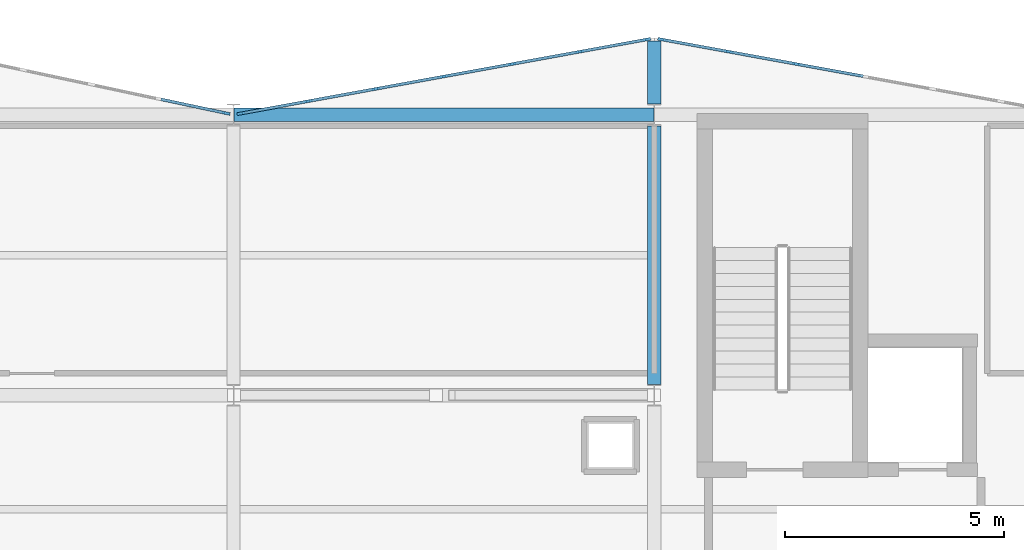
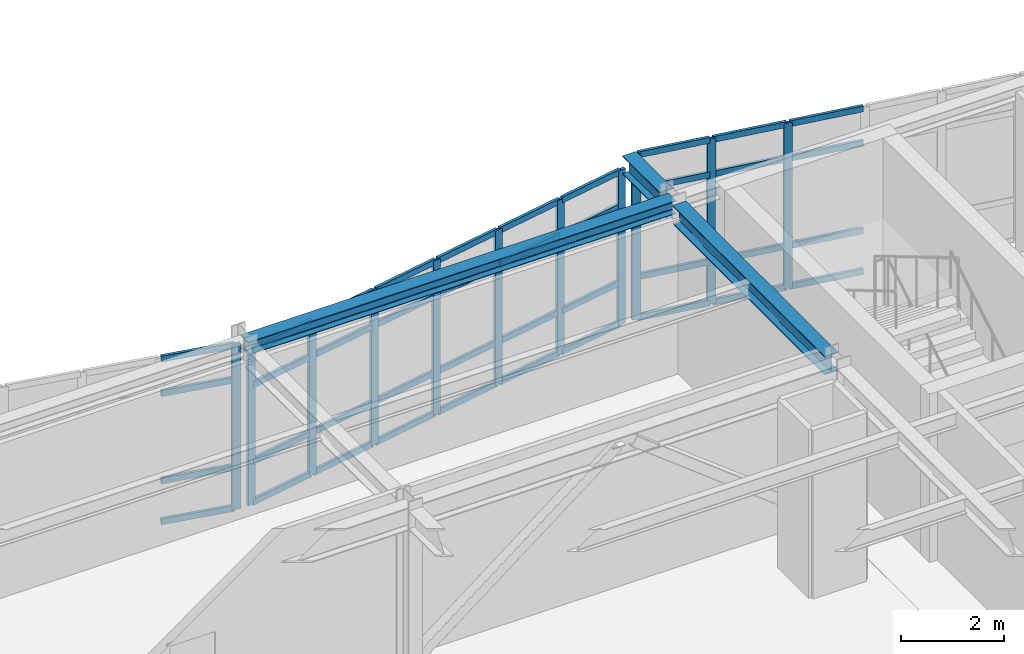
# One storey, part 32 of 64: 51 members, 3 beams, 3 elements without a shape of their own.
"""IFC4 building model written with IfcOpenShell, lengths in metres."""

from ifc_helpers import new_model, si_unit, direction, frame, origin, origin_2d, place, context, subcontext, project, spatial, rectangle, i_section, extrude, material, layer, layer_set, material_profile, profile_set, type_object, element, aggregate, save


model = new_model("IFC4")

# Units and contexts
model_context = context("Model", 3, precision=1e-05, world=origin(), true_north=direction((0.0, 1.0)))
body_context = subcontext(model_context, "Body", "Model", "MODEL_VIEW")
ifc_project = project(units=[si_unit("LENGTHUNIT", "METRE"), si_unit("AREAUNIT", "SQUARE_METRE"), si_unit("VOLUMEUNIT", "CUBIC_METRE"), si_unit("PLANEANGLEUNIT", "RADIAN"), si_unit("MASSUNIT", "GRAM", prefix="KILO")], contexts=[model_context])

# Site, building, storey
site_placement = place(None, origin())
site = spatial("IfcSite", under=ifc_project, at=site_placement, CompositionType="ELEMENT")
building_placement = place(site_placement, origin())
building = spatial("IfcBuilding", under=site, at=building_placement, Name="Nordkorset Police Headquarters", CompositionType="ELEMENT")
storey_placement = place(building_placement, frame((0.0, 0.0, 17.85009765625)))
storey = spatial("IfcBuildingStorey", under=building, at=storey_placement, Name="L04", CompositionType="ELEMENT", Elevation=17.85009765625)

# Curtain wall, member
ifc_material_1 = material(Name="Aluminium alloy AW-6060", Category="aluminium")
ifc_layer_1 = layer(ifc_material_1, 0.179931640625, Name="Aluminium alloy AW-6060")
ifc_layer_set_1 = layer_set([ifc_layer_1], Name="Aluminium alloy AW-6060")
curtain_wall_type_1 = type_object("IfcCurtainWallType", Name="CW_Unit_954x392", PredefinedType="USERDEFINED", material=ifc_layer_set_1)
curtain_wall_1_placement = place(storey_placement, origin())
curtain_wall_1 = element("IfcCurtainWall", 1, at=curtain_wall_1_placement, inside=storey, type_object=curtain_wall_type_1, Name="Unitised Curtain Wall L04 V2N-1", ObjectType="UNITISED CURTAIN WALL", PredefinedType="USERDEFINED")
ifc_material_2 = material(Name="Aluminium alloy AW-6060", Category="aluminium")
ifc_material_profile_1 = material_profile(ifc_material_2, rectangle(XDim=0.06494140625, YDim=0.179931640625, at=origin_2d()), Name="ALU MULL 65x180")
ifc_profile_set_1 = profile_set([ifc_material_profile_1], Name="Aluminium alloy AW-6060")
member_type_1 = type_object("IfcMemberType", Name="CW_Mullion_65x180", PredefinedType="MULLION", material=ifc_profile_set_1)
member_1_placement = place(storey_placement, frame((47.831298828125, 116.8359375, 0.0), z_axis=(0.0, 0.0, 1.0), x_axis=(0.208832534289, 0.977951416289, 0.0)))
member_1 = element("IfcMember", 2, at=member_1_placement, type_object=member_type_1, Name="CW-20 mullion 7", PredefinedType="MULLION", context=body_context, shape_type="SweptSolid", body=[
    extrude(rectangle(XDim=0.06494140625, YDim=0.179931640625, at=origin_2d()), origin(), (0.0, 0.0, 1.0), 3.919921875),
])

# Curtain wall, members
ifc_material_3 = material(Name="Aluminium alloy AW-6060", Category="aluminium")
ifc_layer_2 = layer(ifc_material_3, 0.179931640625, Name="Aluminium alloy AW-6060")
ifc_layer_set_2 = layer_set([ifc_layer_2], Name="Aluminium alloy AW-6060")
curtain_wall_type_2 = type_object("IfcCurtainWallType", Name="CW_Unit_948x366", PredefinedType="USERDEFINED", material=ifc_layer_set_2)
curtain_wall_2_placement = place(storey_placement, origin())
curtain_wall_2 = element("IfcCurtainWall", 3, at=curtain_wall_2_placement, inside=storey, type_object=curtain_wall_type_2, Name="Unitised Curtain Wall L04 V2N-2", ObjectType="UNITISED CURTAIN WALL", PredefinedType="USERDEFINED")
member_2_placement = place(storey_placement, frame((48.169677734375, 116.8310546875, 0.0), z_axis=(0.0, 0.0, 1.0), x_axis=(-0.179335715876, 0.983787934979, 0.0)))
member_2 = element("IfcMember", 4, at=member_2_placement, type_object=member_type_1, Name="CW-35 mullion 1", PredefinedType="MULLION", context=body_context, shape_type="SweptSolid", body=[
    extrude(rectangle(XDim=0.06494140625, YDim=0.179931640625, at=origin_2d()), origin(), (0.0, 0.0, 1.0), 3.659912109375),
])
member_3_placement = place(storey_placement, frame((49.69189453125, 117.1083984375, 0.0), z_axis=(0.0, 0.0, 1.0), x_axis=(-0.179335715876, 0.983787934979, 0.0)))
member_3 = element("IfcMember", 5, at=member_3_placement, type_object=member_type_1, Name="CW-35 mullion 2", PredefinedType="MULLION", context=body_context, shape_type="SweptSolid", body=[
    extrude(rectangle(XDim=0.06494140625, YDim=0.179931640625, at=origin_2d()), origin(), (0.0, 0.0, 1.0), 3.659912109375),
])
member_4_placement = place(storey_placement, frame((51.245849609375, 117.3916015625, 0.0), z_axis=(0.0, 0.0, 1.0), x_axis=(-0.179335715876, 0.983787934979, 0.0)))
member_4 = element("IfcMember", 6, at=member_4_placement, type_object=member_type_1, Name="CW-35 mullion 3", PredefinedType="MULLION", context=body_context, shape_type="SweptSolid", body=[
    extrude(rectangle(XDim=0.06494140625, YDim=0.179931640625, at=origin_2d()), origin(), (0.0, 0.0, 1.0), 3.659912109375),
])
member_5_placement = place(storey_placement, frame((52.800048828125, 117.675048828125, 0.0), z_axis=(0.0, 0.0, 1.0), x_axis=(-0.179335715876, 0.983787934979, 0.0)))
member_5 = element("IfcMember", 7, at=member_5_placement, type_object=member_type_1, Name="CW-35 mullion 4", PredefinedType="MULLION", context=body_context, shape_type="SweptSolid", body=[
    extrude(rectangle(XDim=0.06494140625, YDim=0.179931640625, at=origin_2d()), origin(), (0.0, 0.0, 1.0), 3.659912109375),
])
member_6_placement = place(storey_placement, frame((54.35400390625, 117.958251953125, 0.0), z_axis=(0.0, 0.0, 1.0), x_axis=(-0.179335715876, 0.983787934979, 0.0)))
member_6 = element("IfcMember", 8, at=member_6_placement, type_object=member_type_1, Name="CW-35 mullion 5", PredefinedType="MULLION", context=body_context, shape_type="SweptSolid", body=[
    extrude(rectangle(XDim=0.06494140625, YDim=0.179931640625, at=origin_2d()), origin(), (0.0, 0.0, 1.0), 3.659912109375),
])
member_7_placement = place(storey_placement, frame((55.908203125, 118.24169921875, 0.0), z_axis=(0.0, 0.0, 1.0), x_axis=(-0.179335715876, 0.983787934979, 0.0)))
member_7 = element("IfcMember", 9, at=member_7_placement, type_object=member_type_1, Name="CW-35 mullion 6", PredefinedType="MULLION", context=body_context, shape_type="SweptSolid", body=[
    extrude(rectangle(XDim=0.06494140625, YDim=0.179931640625, at=origin_2d()), origin(), (0.0, 0.0, 1.0), 3.659912109375),
])
member_8_placement = place(storey_placement, frame((57.43017578125, 118.51904296875, 0.0), z_axis=(0.0, 0.0, 1.0), x_axis=(-0.179335715876, 0.983787934979, 0.0)))
member_8 = element("IfcMember", 10, at=member_8_placement, type_object=member_type_1, Name="CW-35 mullion 7", PredefinedType="MULLION", context=body_context, shape_type="SweptSolid", body=[
    extrude(rectangle(XDim=0.06494140625, YDim=0.179931640625, at=origin_2d()), origin(), (0.0, 0.0, 1.0), 3.659912109375),
])

ifc_material_4 = material(Name="Aluminium alloy AW-6060", Category="aluminium")
ifc_layer_3 = layer(ifc_material_4, 0.179931640625, Name="Aluminium alloy AW-6060")
ifc_layer_set_3 = layer_set([ifc_layer_3], Name="Aluminium alloy AW-6060")
curtain_wall_type_3 = type_object("IfcCurtainWallType", Name="CW_Unit_948x392", PredefinedType="USERDEFINED", material=ifc_layer_set_3)
curtain_wall_3_placement = place(storey_placement, origin())
curtain_wall_3 = element("IfcCurtainWall", 11, at=curtain_wall_3_placement, inside=storey, type_object=curtain_wall_type_3, Name="Unitised Curtain Wall L04 V2N-3", ObjectType="UNITISED CURTAIN WALL", PredefinedType="USERDEFINED")
member_9_placement = place(storey_placement, frame((57.769775390625, 118.51904296875, 0.0), z_axis=(0.0, 0.0, 1.0), x_axis=(0.179335715876, 0.983787934979, 0.0)))
member_9 = element("IfcMember", 12, at=member_9_placement, type_object=member_type_1, Name="CW-65 mullion 1", PredefinedType="MULLION", context=body_context, shape_type="SweptSolid", body=[
    extrude(rectangle(XDim=0.06494140625, YDim=0.179931640625, at=origin_2d()), origin(), (0.0, 0.0, 1.0), 3.919921875),
])
member_10_placement = place(storey_placement, frame((59.291748046875, 118.24169921875, 0.0), z_axis=(0.0, 0.0, 1.0), x_axis=(0.179335715876, 0.983787934979, 0.0)))
member_10 = element("IfcMember", 13, at=member_10_placement, type_object=member_type_1, Name="CW-65 mullion 2", PredefinedType="MULLION", context=body_context, shape_type="SweptSolid", body=[
    extrude(rectangle(XDim=0.06494140625, YDim=0.179931640625, at=origin_2d()), origin(), (0.0, 0.0, 1.0), 3.919921875),
])
member_11_placement = place(storey_placement, frame((60.845947265625, 117.958251953125, 0.0), z_axis=(0.0, 0.0, 1.0), x_axis=(0.179335715876, 0.983787934979, 0.0)))
member_11 = element("IfcMember", 14, at=member_11_placement, type_object=member_type_1, Name="CW-65 mullion 3", PredefinedType="MULLION", context=body_context, shape_type="SweptSolid", body=[
    extrude(rectangle(XDim=0.06494140625, YDim=0.179931640625, at=origin_2d()), origin(), (0.0, 0.0, 1.0), 3.919921875),
])

# Member
ifc_material_5 = material(Name="Aluminium alloy AW-6060", Category="aluminium")
ifc_material_profile_2 = material_profile(ifc_material_5, rectangle(XDim=0.06494140625, YDim=0.139892578125, at=origin_2d()), Name="ALU TRAN 65x140")
ifc_profile_set_2 = profile_set([ifc_material_profile_2], Name="Aluminium alloy AW-6060")
member_type_2 = type_object("IfcMemberType", Name="CW_Transom_65x140", PredefinedType="USERDEFINED", material=ifc_profile_set_2)
member_12_placement = place(storey_placement, frame((46.340576171875, 117.154296875, 0.032470703125), z_axis=(0.977955422008, -0.208813774846, 0.0), x_axis=(0.208813774846, 0.977955422008, 0.0)))
member_12 = element("IfcMember", 15, at=member_12_placement, type_object=member_type_2, Name="CW-20 transom 6.1", ObjectType="TRANSOM", PredefinedType="USERDEFINED", context=body_context, shape_type="SweptSolid", body=[
    extrude(rectangle(XDim=0.06494140625, YDim=0.139892578125, at=origin_2d()), origin(), (0.0, 0.0, 1.0), 1.491943359375),
])

member_13_placement = place(storey_placement, frame((46.340576171875, 117.154296875, 1.0), z_axis=(0.977955422008, -0.208813774846, 0.0), x_axis=(0.208813774846, 0.977955422008, 0.0)))
member_13 = element("IfcMember", 16, at=member_13_placement, type_object=member_type_2, Name="CW-20 transom 6.2", ObjectType="TRANSOM", PredefinedType="USERDEFINED", context=body_context, shape_type="SweptSolid", body=[
    extrude(rectangle(XDim=0.06494140625, YDim=0.139892578125, at=origin_2d()), origin(), (0.0, 0.0, 1.0), 1.491943359375),
])

member_14_placement = place(storey_placement, frame((46.340576171875, 117.154296875, 3.06982421875), z_axis=(0.977955422008, -0.208813774846, 0.0), x_axis=(0.208813774846, 0.977955422008, 0.0)))
member_14 = element("IfcMember", 17, at=member_14_placement, type_object=member_type_2, Name="CW-20 transom 6.3", ObjectType="TRANSOM", PredefinedType="USERDEFINED", context=body_context, shape_type="SweptSolid", body=[
    extrude(rectangle(XDim=0.06494140625, YDim=0.139892578125, at=origin_2d()), origin(), (0.0, 0.0, 1.0), 1.491943359375),
])

member_15_placement = place(storey_placement, frame((46.340576171875, 117.154296875, 3.887451171875), z_axis=(0.977955422008, -0.208813774846, 0.0), x_axis=(0.208813774846, 0.977955422008, 0.0)))
member_15 = element("IfcMember", 18, at=member_15_placement, type_object=member_type_2, Name="CW-20 transom 6.4", ObjectType="TRANSOM", PredefinedType="USERDEFINED", context=body_context, shape_type="SweptSolid", body=[
    extrude(rectangle(XDim=0.06494140625, YDim=0.139892578125, at=origin_2d()), origin(), (0.0, 0.0, 1.0), 1.491943359375),
])

aggregate(curtain_wall_1, [member_1, member_12, member_13, member_14, member_15])

member_16_placement = place(storey_placement, frame((48.20166015625, 116.836669921875, 0.032470703125), z_axis=(0.98378282961, 0.179363720316, 0.0), x_axis=(-0.179363720316, 0.98378282961, 0.0)))
member_16 = element("IfcMember", 19, at=member_16_placement, type_object=member_type_2, Name="CW-35 transom 1.1", ObjectType="TRANSOM", PredefinedType="USERDEFINED", context=body_context, shape_type="SweptSolid", body=[
    extrude(rectangle(XDim=0.06494140625, YDim=0.139892578125, at=origin_2d()), origin(), (0.0, 0.0, 1.0), 1.482177734375),
])

member_17_placement = place(storey_placement, frame((48.20166015625, 116.836669921875, 1.0), z_axis=(0.98378282961, 0.179363720316, 0.0), x_axis=(-0.179363720316, 0.98378282961, 0.0)))
member_17 = element("IfcMember", 20, at=member_17_placement, type_object=member_type_2, Name="CW-35 transom 1.2", ObjectType="TRANSOM", PredefinedType="USERDEFINED", context=body_context, shape_type="SweptSolid", body=[
    extrude(rectangle(XDim=0.06494140625, YDim=0.139892578125, at=origin_2d()), origin(), (0.0, 0.0, 1.0), 1.482177734375),
])

member_18_placement = place(storey_placement, frame((48.20166015625, 116.836669921875, 2.809814453125), z_axis=(0.98378282961, 0.179363720316, 0.0), x_axis=(-0.179363720316, 0.98378282961, 0.0)))
member_18 = element("IfcMember", 21, at=member_18_placement, type_object=member_type_2, Name="CW-35 transom 1.3", ObjectType="TRANSOM", PredefinedType="USERDEFINED", context=body_context, shape_type="SweptSolid", body=[
    extrude(rectangle(XDim=0.06494140625, YDim=0.139892578125, at=origin_2d()), origin(), (0.0, 0.0, 1.0), 1.482177734375),
])

member_19_placement = place(storey_placement, frame((48.20166015625, 116.836669921875, 3.62744140625), z_axis=(0.98378282961, 0.179363720316, 0.0), x_axis=(-0.179363720316, 0.98378282961, 0.0)))
member_19 = element("IfcMember", 22, at=member_19_placement, type_object=member_type_2, Name="CW-35 transom 1.4", ObjectType="TRANSOM", PredefinedType="USERDEFINED", context=body_context, shape_type="SweptSolid", body=[
    extrude(rectangle(XDim=0.06494140625, YDim=0.139892578125, at=origin_2d()), origin(), (0.0, 0.0, 1.0), 1.482177734375),
])

member_20_placement = place(storey_placement, frame((49.723876953125, 117.1142578125, 0.032470703125), z_axis=(0.983774342545, 0.179410264338, 0.0), x_axis=(-0.179410264338, 0.983774342545, 0.0)))
member_20 = element("IfcMember", 23, at=member_20_placement, type_object=member_type_2, Name="CW-35 transom 2.1", ObjectType="TRANSOM", PredefinedType="USERDEFINED", context=body_context, shape_type="SweptSolid", body=[
    extrude(rectangle(XDim=0.06494140625, YDim=0.139892578125, at=origin_2d()), origin(), (0.0, 0.0, 1.0), 1.5146484375),
])

member_21_placement = place(storey_placement, frame((49.723876953125, 117.1142578125, 1.0), z_axis=(0.983774342545, 0.179410264338, 0.0), x_axis=(-0.179410264338, 0.983774342545, 0.0)))
member_21 = element("IfcMember", 24, at=member_21_placement, type_object=member_type_2, Name="CW-35 transom 2.2", ObjectType="TRANSOM", PredefinedType="USERDEFINED", context=body_context, shape_type="SweptSolid", body=[
    extrude(rectangle(XDim=0.06494140625, YDim=0.139892578125, at=origin_2d()), origin(), (0.0, 0.0, 1.0), 1.5146484375),
])

member_22_placement = place(storey_placement, frame((49.723876953125, 117.1142578125, 2.809814453125), z_axis=(0.983774342545, 0.179410264338, 0.0), x_axis=(-0.179410264338, 0.983774342545, 0.0)))
member_22 = element("IfcMember", 25, at=member_22_placement, type_object=member_type_2, Name="CW-35 transom 2.3", ObjectType="TRANSOM", PredefinedType="USERDEFINED", context=body_context, shape_type="SweptSolid", body=[
    extrude(rectangle(XDim=0.06494140625, YDim=0.139892578125, at=origin_2d()), origin(), (0.0, 0.0, 1.0), 1.5146484375),
])

member_23_placement = place(storey_placement, frame((49.723876953125, 117.1142578125, 3.62744140625), z_axis=(0.983774342545, 0.179410264338, 0.0), x_axis=(-0.179410264338, 0.983774342545, 0.0)))
member_23 = element("IfcMember", 26, at=member_23_placement, type_object=member_type_2, Name="CW-35 transom 2.4", ObjectType="TRANSOM", PredefinedType="USERDEFINED", context=body_context, shape_type="SweptSolid", body=[
    extrude(rectangle(XDim=0.06494140625, YDim=0.139892578125, at=origin_2d()), origin(), (0.0, 0.0, 1.0), 1.5146484375),
])

member_24_placement = place(storey_placement, frame((51.27783203125, 117.3974609375, 0.032470703125), z_axis=(0.983779529869, 0.179381817946, 0.0), x_axis=(-0.179381817946, 0.983779529869, 0.0)))
member_24 = element("IfcMember", 27, at=member_24_placement, type_object=member_type_2, Name="CW-35 transom 3.1", ObjectType="TRANSOM", PredefinedType="USERDEFINED", context=body_context, shape_type="SweptSolid", body=[
    extrude(rectangle(XDim=0.06494140625, YDim=0.139892578125, at=origin_2d()), origin(), (0.0, 0.0, 1.0), 1.514892578125),
])

member_25_placement = place(storey_placement, frame((51.27783203125, 117.3974609375, 1.0), z_axis=(0.983779529869, 0.179381817946, 0.0), x_axis=(-0.179381817946, 0.983779529869, 0.0)))
member_25 = element("IfcMember", 28, at=member_25_placement, type_object=member_type_2, Name="CW-35 transom 3.2", ObjectType="TRANSOM", PredefinedType="USERDEFINED", context=body_context, shape_type="SweptSolid", body=[
    extrude(rectangle(XDim=0.06494140625, YDim=0.139892578125, at=origin_2d()), origin(), (0.0, 0.0, 1.0), 1.514892578125),
])

member_26_placement = place(storey_placement, frame((51.27783203125, 117.3974609375, 2.809814453125), z_axis=(0.983779529869, 0.179381817946, 0.0), x_axis=(-0.179381817946, 0.983779529869, 0.0)))
member_26 = element("IfcMember", 29, at=member_26_placement, type_object=member_type_2, Name="CW-35 transom 3.3", ObjectType="TRANSOM", PredefinedType="USERDEFINED", context=body_context, shape_type="SweptSolid", body=[
    extrude(rectangle(XDim=0.06494140625, YDim=0.139892578125, at=origin_2d()), origin(), (0.0, 0.0, 1.0), 1.514892578125),
])

member_27_placement = place(storey_placement, frame((51.27783203125, 117.3974609375, 3.62744140625), z_axis=(0.983779529869, 0.179381817946, 0.0), x_axis=(-0.179381817946, 0.983779529869, 0.0)))
member_27 = element("IfcMember", 30, at=member_27_placement, type_object=member_type_2, Name="CW-35 transom 3.4", ObjectType="TRANSOM", PredefinedType="USERDEFINED", context=body_context, shape_type="SweptSolid", body=[
    extrude(rectangle(XDim=0.06494140625, YDim=0.139892578125, at=origin_2d()), origin(), (0.0, 0.0, 1.0), 1.514892578125),
])

member_28_placement = place(storey_placement, frame((52.83203125, 117.680908203125, 0.032470703125), z_axis=(0.983802781825, 0.179254250924, 0.0), x_axis=(-0.179254250924, 0.983802781825, 0.0)))
member_28 = element("IfcMember", 31, at=member_28_placement, type_object=member_type_2, Name="CW-35 transom 4.1", ObjectType="TRANSOM", PredefinedType="USERDEFINED", context=body_context, shape_type="SweptSolid", body=[
    extrude(rectangle(XDim=0.06494140625, YDim=0.139892578125, at=origin_2d()), origin(), (0.0, 0.0, 1.0), 1.514404296875),
])

member_29_placement = place(storey_placement, frame((52.83203125, 117.680908203125, 1.0), z_axis=(0.983802781825, 0.179254250924, 0.0), x_axis=(-0.179254250924, 0.983802781825, 0.0)))
member_29 = element("IfcMember", 32, at=member_29_placement, type_object=member_type_2, Name="CW-35 transom 4.2", ObjectType="TRANSOM", PredefinedType="USERDEFINED", context=body_context, shape_type="SweptSolid", body=[
    extrude(rectangle(XDim=0.06494140625, YDim=0.139892578125, at=origin_2d()), origin(), (0.0, 0.0, 1.0), 1.514404296875),
])

member_30_placement = place(storey_placement, frame((52.83203125, 117.680908203125, 2.809814453125), z_axis=(0.983802781825, 0.179254250924, 0.0), x_axis=(-0.179254250924, 0.983802781825, 0.0)))
member_30 = element("IfcMember", 33, at=member_30_placement, type_object=member_type_2, Name="CW-35 transom 4.3", ObjectType="TRANSOM", PredefinedType="USERDEFINED", context=body_context, shape_type="SweptSolid", body=[
    extrude(rectangle(XDim=0.06494140625, YDim=0.139892578125, at=origin_2d()), origin(), (0.0, 0.0, 1.0), 1.514404296875),
])

member_31_placement = place(storey_placement, frame((52.83203125, 117.680908203125, 3.62744140625), z_axis=(0.983802781825, 0.179254250924, 0.0), x_axis=(-0.179254250924, 0.983802781825, 0.0)))
member_31 = element("IfcMember", 34, at=member_31_placement, type_object=member_type_2, Name="CW-35 transom 4.4", ObjectType="TRANSOM", PredefinedType="USERDEFINED", context=body_context, shape_type="SweptSolid", body=[
    extrude(rectangle(XDim=0.06494140625, YDim=0.139892578125, at=origin_2d()), origin(), (0.0, 0.0, 1.0), 1.514404296875),
])

member_32_placement = place(storey_placement, frame((54.385986328125, 117.964111328125, 0.032470703125), z_axis=(0.983779529869, 0.179381817946, 0.0), x_axis=(-0.179381817946, 0.983779529869, 0.0)))
member_32 = element("IfcMember", 35, at=member_32_placement, type_object=member_type_2, Name="CW-35 transom 5.1", ObjectType="TRANSOM", PredefinedType="USERDEFINED", context=body_context, shape_type="SweptSolid", body=[
    extrude(rectangle(XDim=0.06494140625, YDim=0.139892578125, at=origin_2d()), origin(), (0.0, 0.0, 1.0), 1.514892578125),
])

member_33_placement = place(storey_placement, frame((54.385986328125, 117.964111328125, 1.0), z_axis=(0.983779529869, 0.179381817946, 0.0), x_axis=(-0.179381817946, 0.983779529869, 0.0)))
member_33 = element("IfcMember", 36, at=member_33_placement, type_object=member_type_2, Name="CW-35 transom 5.2", ObjectType="TRANSOM", PredefinedType="USERDEFINED", context=body_context, shape_type="SweptSolid", body=[
    extrude(rectangle(XDim=0.06494140625, YDim=0.139892578125, at=origin_2d()), origin(), (0.0, 0.0, 1.0), 1.514892578125),
])

member_34_placement = place(storey_placement, frame((54.385986328125, 117.964111328125, 2.809814453125), z_axis=(0.983779529869, 0.179381817946, 0.0), x_axis=(-0.179381817946, 0.983779529869, 0.0)))
member_34 = element("IfcMember", 37, at=member_34_placement, type_object=member_type_2, Name="CW-35 transom 5.3", ObjectType="TRANSOM", PredefinedType="USERDEFINED", context=body_context, shape_type="SweptSolid", body=[
    extrude(rectangle(XDim=0.06494140625, YDim=0.139892578125, at=origin_2d()), origin(), (0.0, 0.0, 1.0), 1.514892578125),
])

member_35_placement = place(storey_placement, frame((54.385986328125, 117.964111328125, 3.62744140625), z_axis=(0.983779529869, 0.179381817946, 0.0), x_axis=(-0.179381817946, 0.983779529869, 0.0)))
member_35 = element("IfcMember", 38, at=member_35_placement, type_object=member_type_2, Name="CW-35 transom 5.4", ObjectType="TRANSOM", PredefinedType="USERDEFINED", context=body_context, shape_type="SweptSolid", body=[
    extrude(rectangle(XDim=0.06494140625, YDim=0.139892578125, at=origin_2d()), origin(), (0.0, 0.0, 1.0), 1.514892578125),
])

member_36_placement = place(storey_placement, frame((55.940185546875, 118.247314453125, 0.032470703125), z_axis=(0.98378282961, 0.179363720316, 0.0), x_axis=(-0.179363720316, 0.98378282961, 0.0)))
member_36 = element("IfcMember", 39, at=member_36_placement, type_object=member_type_2, Name="CW-35 transom 6.1", ObjectType="TRANSOM", PredefinedType="USERDEFINED", context=body_context, shape_type="SweptSolid", body=[
    extrude(rectangle(XDim=0.06494140625, YDim=0.139892578125, at=origin_2d()), origin(), (0.0, 0.0, 1.0), 1.482177734375),
])

member_37_placement = place(storey_placement, frame((55.940185546875, 118.247314453125, 1.0), z_axis=(0.98378282961, 0.179363720316, 0.0), x_axis=(-0.179363720316, 0.98378282961, 0.0)))
member_37 = element("IfcMember", 40, at=member_37_placement, type_object=member_type_2, Name="CW-35 transom 6.2", ObjectType="TRANSOM", PredefinedType="USERDEFINED", context=body_context, shape_type="SweptSolid", body=[
    extrude(rectangle(XDim=0.06494140625, YDim=0.139892578125, at=origin_2d()), origin(), (0.0, 0.0, 1.0), 1.482177734375),
])

member_38_placement = place(storey_placement, frame((55.940185546875, 118.247314453125, 2.809814453125), z_axis=(0.98378282961, 0.179363720316, 0.0), x_axis=(-0.179363720316, 0.98378282961, 0.0)))
member_38 = element("IfcMember", 41, at=member_38_placement, type_object=member_type_2, Name="CW-35 transom 6.3", ObjectType="TRANSOM", PredefinedType="USERDEFINED", context=body_context, shape_type="SweptSolid", body=[
    extrude(rectangle(XDim=0.06494140625, YDim=0.139892578125, at=origin_2d()), origin(), (0.0, 0.0, 1.0), 1.482177734375),
])

member_39_placement = place(storey_placement, frame((55.940185546875, 118.247314453125, 3.62744140625), z_axis=(0.98378282961, 0.179363720316, 0.0), x_axis=(-0.179363720316, 0.98378282961, 0.0)))
member_39 = element("IfcMember", 42, at=member_39_placement, type_object=member_type_2, Name="CW-35 transom 6.4", ObjectType="TRANSOM", PredefinedType="USERDEFINED", context=body_context, shape_type="SweptSolid", body=[
    extrude(rectangle(XDim=0.06494140625, YDim=0.139892578125, at=origin_2d()), origin(), (0.0, 0.0, 1.0), 1.482177734375),
])

aggregate(curtain_wall_2, [member_2, member_3, member_4, member_5, member_6, member_7, member_8, member_16, member_17, member_18, member_19, member_20, member_21, member_22, member_23, member_24, member_25, member_26, member_27, member_28, member_29, member_30, member_31, member_32, member_33, member_34, member_35, member_36, member_37, member_38, member_39])

member_40_placement = place(storey_placement, frame((57.8017578125, 118.51318359375, 0.032470703125), z_axis=(0.983777529541, -0.179392787955, 0.0), x_axis=(0.179392787955, 0.983777529541, 0.0)))
member_40 = element("IfcMember", 43, at=member_40_placement, type_object=member_type_2, Name="CW-65 transom 1.1", ObjectType="TRANSOM", PredefinedType="USERDEFINED", context=body_context, shape_type="SweptSolid", body=[
    extrude(rectangle(XDim=0.06494140625, YDim=0.139892578125, at=origin_2d()), origin(), (0.0, 0.0, 1.0), 1.48193359375),
])

member_41_placement = place(storey_placement, frame((57.8017578125, 118.51318359375, 1.0), z_axis=(0.983777529541, -0.179392787955, 0.0), x_axis=(0.179392787955, 0.983777529541, 0.0)))
member_41 = element("IfcMember", 44, at=member_41_placement, type_object=member_type_2, Name="CW-65 transom 1.2", ObjectType="TRANSOM", PredefinedType="USERDEFINED", context=body_context, shape_type="SweptSolid", body=[
    extrude(rectangle(XDim=0.06494140625, YDim=0.139892578125, at=origin_2d()), origin(), (0.0, 0.0, 1.0), 1.48193359375),
])

member_42_placement = place(storey_placement, frame((57.8017578125, 118.51318359375, 3.06982421875), z_axis=(0.983777529541, -0.179392787955, 0.0), x_axis=(0.179392787955, 0.983777529541, 0.0)))
member_42 = element("IfcMember", 45, at=member_42_placement, type_object=member_type_2, Name="CW-65 transom 1.3", ObjectType="TRANSOM", PredefinedType="USERDEFINED", context=body_context, shape_type="SweptSolid", body=[
    extrude(rectangle(XDim=0.06494140625, YDim=0.139892578125, at=origin_2d()), origin(), (0.0, 0.0, 1.0), 1.48193359375),
])

member_43_placement = place(storey_placement, frame((57.8017578125, 118.51318359375, 3.887451171875), z_axis=(0.983777529541, -0.179392787955, 0.0), x_axis=(0.179392787955, 0.983777529541, 0.0)))
member_43 = element("IfcMember", 46, at=member_43_placement, type_object=member_type_2, Name="CW-65 transom 1.4", ObjectType="TRANSOM", PredefinedType="USERDEFINED", context=body_context, shape_type="SweptSolid", body=[
    extrude(rectangle(XDim=0.06494140625, YDim=0.139892578125, at=origin_2d()), origin(), (0.0, 0.0, 1.0), 1.48193359375),
])

member_44_placement = place(storey_placement, frame((59.32373046875, 118.23583984375, 0.032470703125), z_axis=(0.983779529869, -0.179381817946, 0.0), x_axis=(0.179381817946, 0.983779529869, 0.0)))
member_44 = element("IfcMember", 47, at=member_44_placement, type_object=member_type_2, Name="CW-65 transom 2.1", ObjectType="TRANSOM", PredefinedType="USERDEFINED", context=body_context, shape_type="SweptSolid", body=[
    extrude(rectangle(XDim=0.06494140625, YDim=0.139892578125, at=origin_2d()), origin(), (0.0, 0.0, 1.0), 1.514892578125),
])

member_45_placement = place(storey_placement, frame((59.32373046875, 118.23583984375, 1.0), z_axis=(0.983779529869, -0.179381817946, 0.0), x_axis=(0.179381817946, 0.983779529869, 0.0)))
member_45 = element("IfcMember", 48, at=member_45_placement, type_object=member_type_2, Name="CW-65 transom 2.2", ObjectType="TRANSOM", PredefinedType="USERDEFINED", context=body_context, shape_type="SweptSolid", body=[
    extrude(rectangle(XDim=0.06494140625, YDim=0.139892578125, at=origin_2d()), origin(), (0.0, 0.0, 1.0), 1.514892578125),
])

member_46_placement = place(storey_placement, frame((59.32373046875, 118.23583984375, 3.06982421875), z_axis=(0.983779529869, -0.179381817946, 0.0), x_axis=(0.179381817946, 0.983779529869, 0.0)))
member_46 = element("IfcMember", 49, at=member_46_placement, type_object=member_type_2, Name="CW-65 transom 2.3", ObjectType="TRANSOM", PredefinedType="USERDEFINED", context=body_context, shape_type="SweptSolid", body=[
    extrude(rectangle(XDim=0.06494140625, YDim=0.139892578125, at=origin_2d()), origin(), (0.0, 0.0, 1.0), 1.514892578125),
])

member_47_placement = place(storey_placement, frame((59.32373046875, 118.23583984375, 3.887451171875), z_axis=(0.983779529869, -0.179381817946, 0.0), x_axis=(0.179381817946, 0.983779529869, 0.0)))
member_47 = element("IfcMember", 50, at=member_47_placement, type_object=member_type_2, Name="CW-65 transom 2.4", ObjectType="TRANSOM", PredefinedType="USERDEFINED", context=body_context, shape_type="SweptSolid", body=[
    extrude(rectangle(XDim=0.06494140625, YDim=0.139892578125, at=origin_2d()), origin(), (0.0, 0.0, 1.0), 1.514892578125),
])

member_48_placement = place(storey_placement, frame((60.8779296875, 117.952392578125, 0.032470703125), z_axis=(0.983802781825, -0.179254250924, 0.0), x_axis=(0.179254250924, 0.983802781825, 0.0)))
member_48 = element("IfcMember", 51, at=member_48_placement, type_object=member_type_2, Name="CW-65 transom 3.1", ObjectType="TRANSOM", PredefinedType="USERDEFINED", context=body_context, shape_type="SweptSolid", body=[
    extrude(rectangle(XDim=0.06494140625, YDim=0.139892578125, at=origin_2d()), origin(), (0.0, 0.0, 1.0), 1.514404296875),
])

member_49_placement = place(storey_placement, frame((60.8779296875, 117.952392578125, 1.0), z_axis=(0.983802781825, -0.179254250924, 0.0), x_axis=(0.179254250924, 0.983802781825, 0.0)))
member_49 = element("IfcMember", 52, at=member_49_placement, type_object=member_type_2, Name="CW-65 transom 3.2", ObjectType="TRANSOM", PredefinedType="USERDEFINED", context=body_context, shape_type="SweptSolid", body=[
    extrude(rectangle(XDim=0.06494140625, YDim=0.139892578125, at=origin_2d()), origin(), (0.0, 0.0, 1.0), 1.514404296875),
])

member_50_placement = place(storey_placement, frame((60.8779296875, 117.952392578125, 3.06982421875), z_axis=(0.983802781825, -0.179254250924, 0.0), x_axis=(0.179254250924, 0.983802781825, 0.0)))
member_50 = element("IfcMember", 53, at=member_50_placement, type_object=member_type_2, Name="CW-65 transom 3.3", ObjectType="TRANSOM", PredefinedType="USERDEFINED", context=body_context, shape_type="SweptSolid", body=[
    extrude(rectangle(XDim=0.06494140625, YDim=0.139892578125, at=origin_2d()), origin(), (0.0, 0.0, 1.0), 1.514404296875),
])

member_51_placement = place(storey_placement, frame((60.8779296875, 117.952392578125, 3.887451171875), z_axis=(0.983802781825, -0.179254250924, 0.0), x_axis=(0.179254250924, 0.983802781825, 0.0)))
member_51 = element("IfcMember", 54, at=member_51_placement, type_object=member_type_2, Name="CW-65 transom 3.4", ObjectType="TRANSOM", PredefinedType="USERDEFINED", context=body_context, shape_type="SweptSolid", body=[
    extrude(rectangle(XDim=0.06494140625, YDim=0.139892578125, at=origin_2d()), origin(), (0.0, 0.0, 1.0), 1.514404296875),
])

aggregate(curtain_wall_3, [member_9, member_10, member_11, member_40, member_41, member_42, member_43, member_44, member_45, member_46, member_47, member_48, member_49, member_50, member_51])

# Beams
ifc_material_6 = material(Name="Steel S355J2", Category="steel")
ifc_material_profile_3 = material_profile(ifc_material_6, i_section(OverallWidth=0.300048828125, OverallDepth=0.43994140625, WebThickness=0.011474609375, FlangeThickness=0.02099609375, FilletRadius=0.027099609375, at=origin_2d()), Name="HEA 450")
ifc_profile_set_3 = profile_set([ifc_material_profile_3], Name="Steel S355J2")
beam_type_1 = type_object("IfcBeamType", Name="Girder_HEA_450", PredefinedType="USERDEFINED", material=ifc_profile_set_3)
beam_1_placement = place(storey_placement, frame((57.60009765625, 110.64990234375, 3.77001953125), z_axis=(0.0, 1.0, 0.0), x_axis=(-1.0, 0.0, 0.0)))
element("IfcBeam", 55, at=beam_1_placement, inside=storey, type_object=beam_type_1, Name="Girder V2 L04 GY-3-2", ObjectType="GIRDER", PredefinedType="USERDEFINED", context=body_context, shape_type="SweptSolid", body=[
    extrude(i_section(OverallWidth=0.300048828125, OverallDepth=0.43994140625, WebThickness=0.011474609375, FlangeThickness=0.02099609375, FilletRadius=0.027099609375, at=origin_2d()), origin(), (0.0, 0.0, 1.0), 5.900146484375),
])
beam_2_placement = place(storey_placement, frame((57.60009765625, 117.050048828125, 3.77001953125), z_axis=(0.0, 1.0, 0.0), x_axis=(-1.0, 0.0, 0.0)))
element("IfcBeam", 56, at=beam_2_placement, inside=storey, type_object=beam_type_1, Name="Sawtooth Facade Outrigger V2 L04 57", ObjectType="GIRDER", PredefinedType="USERDEFINED", context=body_context, shape_type="SweptSolid", body=[
    extrude(i_section(OverallWidth=0.300048828125, OverallDepth=0.43994140625, WebThickness=0.011474609375, FlangeThickness=0.02099609375, FilletRadius=0.027099609375, at=origin_2d()), origin(), (0.0, 0.0, 1.0), 1.43994140625),
])
ifc_material_7 = material(Name="Steel S355J2", Category="steel")
ifc_material_profile_4 = material_profile(ifc_material_7, i_section(OverallWidth=0.300048828125, OverallDepth=0.31005859375, WebThickness=0.009033203125, FlangeThickness=0.015380859375, FilletRadius=0.027099609375, at=origin_2d()), Name="HEA 320")
ifc_profile_set_4 = profile_set([ifc_material_profile_4], Name="Steel S355J2")
beam_type_2 = type_object("IfcBeamType", Name="Spandrel_HEA_320", PredefinedType="SPANDREL", material=ifc_profile_set_4)
beam_3_placement = place(storey_placement, frame((48.00732421875, 116.800048828125, 3.8349609375), z_axis=(1.0, 0.0, 0.0), x_axis=(0.0, 1.0, 0.0)))
element("IfcBeam", 57, at=beam_3_placement, inside=storey, type_object=beam_type_2, Name="Girder V2 L04 GX-3-2", PredefinedType="SPANDREL", context=body_context, shape_type="SweptSolid", body=[
    extrude(i_section(OverallWidth=0.300048828125, OverallDepth=0.31005859375, WebThickness=0.009033203125, FlangeThickness=0.015380859375, FilletRadius=0.027099609375, at=origin_2d()), origin(), (0.0, 0.0, 1.0), 9.58544921875),
])

save(model, "model.ifc")
